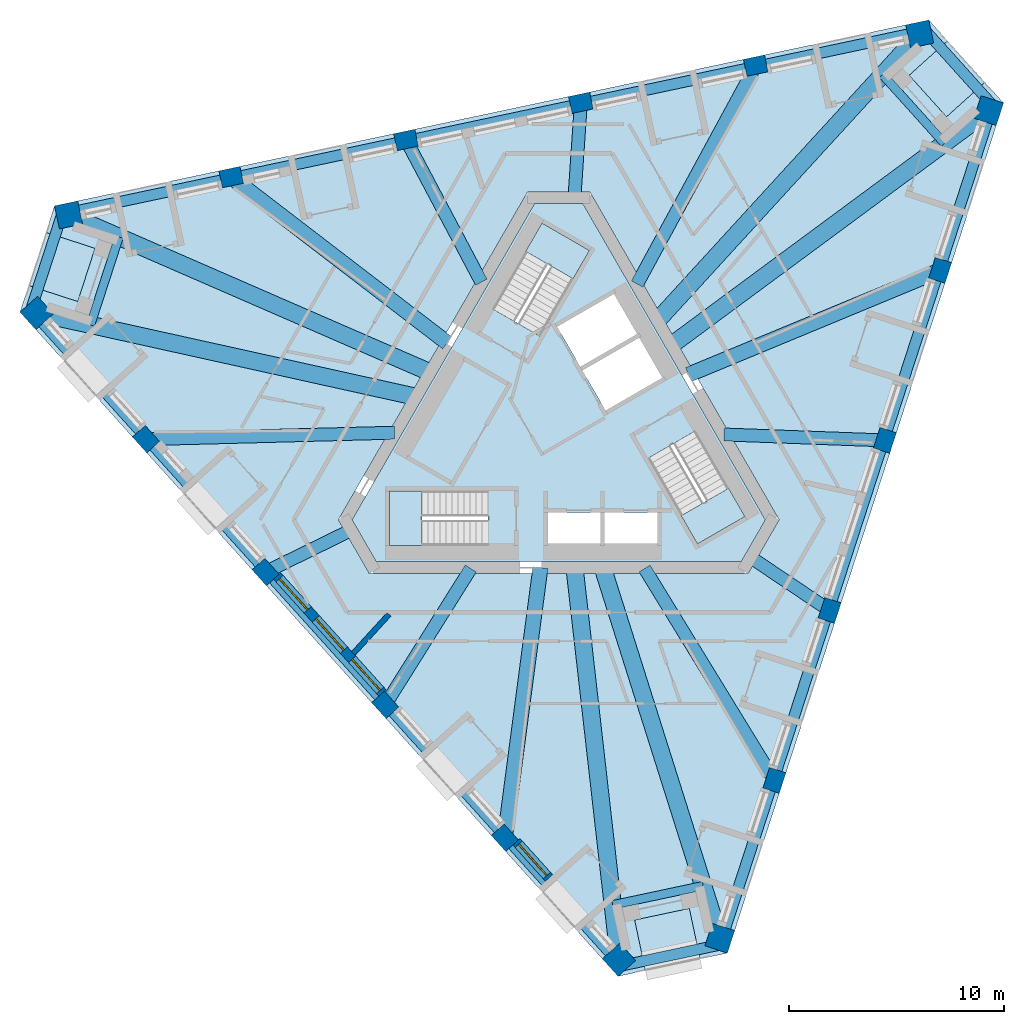
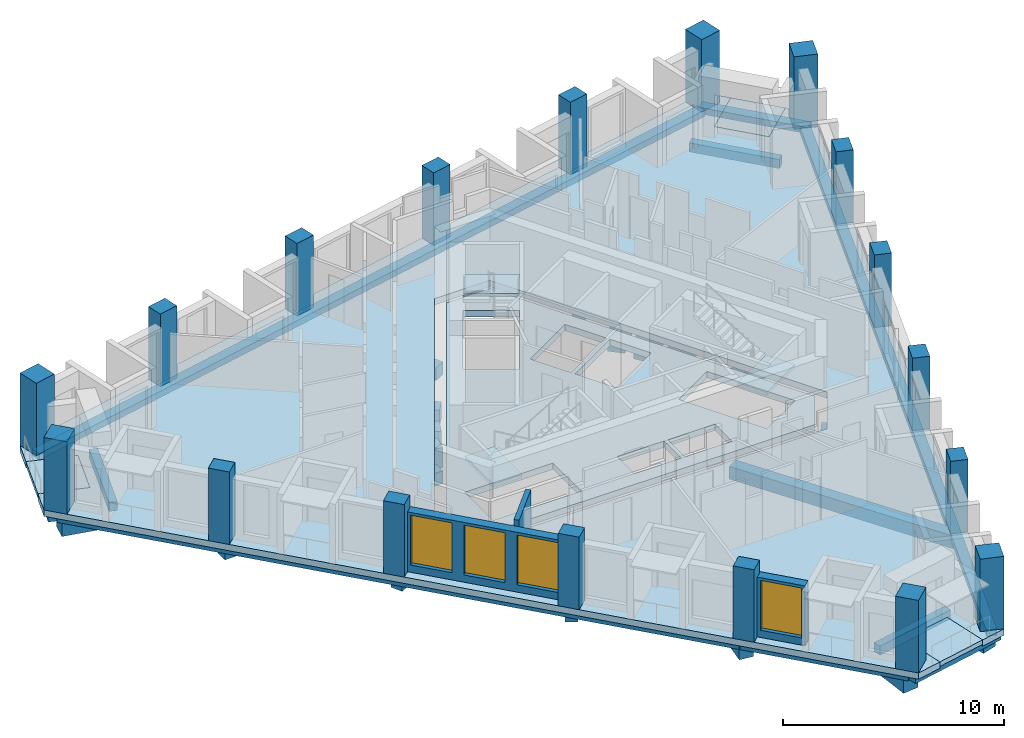
# One storey, part 1 of 13: 27 beams, 18 columns, 8 slabs, 4 windows, 3 walls, 4 openings, 3 elements without a shape of their own.
"""IFC4 building model written with IfcOpenShell, lengths in metres."""

from ifc_helpers import new_model, si_unit, direction, frame, frame_2d, origin, origin_2d, place, context, subcontext, project, spatial, polyline, rectangle, outline, extrude, material, layer, layer_set, material_profile, profile_set, type_object, element, fill, aggregate, save


model = new_model("IFC4")

# Units and contexts
model_context = context("Model", 3, precision=1e-05, world=origin(), true_north=direction((0.0, 1.0)))
body_context = subcontext(model_context, "Body", "Model", "MODEL_VIEW")
ifc_project = project(units=[si_unit("LENGTHUNIT", "METRE"), si_unit("AREAUNIT", "SQUARE_METRE"), si_unit("VOLUMEUNIT", "CUBIC_METRE"), si_unit("PLANEANGLEUNIT", "RADIAN"), si_unit("MASSUNIT", "GRAM", prefix="KILO")], contexts=[model_context])

# Site, building, storey
site_placement = place(None, origin())
site = spatial("IfcSite", under=ifc_project, at=site_placement, CompositionType="ELEMENT")
building_placement = place(site_placement, origin())
building = spatial("IfcBuilding", under=site, at=building_placement, Name="Tramontana Tower", CompositionType="ELEMENT")
storey_placement = place(building_placement, frame((0.0, 0.0, 328.39990234375)))
storey = spatial("IfcBuildingStorey", under=building, at=storey_placement, Name="L75", CompositionType="ELEMENT", Elevation=328.39990234375)

# Columns
ifc_material_1 = material(Name="Concrete 55 MPa", Category="concrete")
ifc_material_profile_1 = material_profile(ifc_material_1, rectangle(XDim=1.10009765625, YDim=1.10009765625, at=origin_2d()), Name="Mega column 1100X1100 55 MPa")
ifc_profile_set_1 = profile_set([ifc_material_profile_1], Name="Concrete 55 MPa")
column_type_1 = type_object("IfcColumnType", Name="Mega column 1100X1100 55 MPa", PredefinedType="COLUMN", material=ifc_profile_set_1)
for number, where, z_axis, x_axis, name in (
    (1, (-24.278076171875, 5.368408203125, 0.0), (0.0, 0.0, 1.0), (0.669130606359, -0.743144825477, 0.0), "Mega column C8K1 L75"),
    (2, (2.80126953125, -24.706298828125, 0.0), (0.0, 0.0, 1.0), (0.669130606359, -0.743144825477, 0.0), "Mega column C8K2 L75"),
    (3, (7.489990234375, -23.70947265625, 0.0), (0.0, 0.0, 1.0), (0.309016994375, 0.951056516295, 0.0), "Mega column C8K3 L75"),
    (4, (19.99560546875, 14.779052734375, 0.0), (0.0, 0.0, 1.0), (0.309016994375, 0.951056516295, 0.0), "Mega column C8K4 L75"),
    (5, (16.7880859375, 18.34130859375, 0.0), (0.0, 0.0, 1.0), (-0.978147600734, -0.207911690818, 0.0), "Mega column C8K5 L75"),
    (6, (-22.796875, 9.92724609375, 0.0), (0.0, 0.0, 1.0), (-0.978147600734, -0.207911690818, 0.0), "Mega column C8K6 L75"),
):
    element("IfcColumn", number, at=place(storey_placement, frame(where, z_axis=z_axis, x_axis=x_axis)), inside=storey, type_object=column_type_1, Name=name, PredefinedType="COLUMN", context=body_context, shape_type="SweptSolid", body=[
        extrude(rectangle(XDim=1.10009765625, YDim=1.10009765625, at=origin_2d()), origin(), (0.0, 0.0, 1.0), 4.0),
    ])
ifc_material_2 = material(Name="Concrete 55 MPa", Category="concrete")
ifc_material_profile_2 = material_profile(ifc_material_2, rectangle(XDim=1.0, YDim=0.800048828125, at=origin_2d()), Name="Pier column 1000X800 55 MPa")
ifc_profile_set_2 = profile_set([ifc_material_profile_2], Name="Concrete 55 MPa")
column_type_2 = type_object("IfcColumnType", Name="Pier column 1000X800 55 MPa", PredefinedType="COLUMN", material=ifc_profile_set_2)
for number, where, z_axis, x_axis, name in (
    (7, (-19.194580078125, -0.501708984375, 0.0), (0.0, 0.0, 1.0), (0.669130606359, -0.743144825477, 0.0), "Pier column C8F01 L75"),
    (8, (-13.63134765625, -6.68017578125, 0.0), (0.0, 0.0, 1.0), (0.669130606359, -0.743144825477, 0.0), "Pier column C8F02 L75"),
    (9, (-8.068359375, -12.8583984375, 0.0), (0.0, 0.0, 1.0), (0.669130606359, -0.743144825477, 0.0), "Pier column C8F03 L75"),
    (10, (-2.50537109375, -19.036865234375, 0.0), (0.0, 0.0, 1.0), (0.669130606359, -0.743144825477, 0.0), "Pier column C8F04 L75"),
    (11, (10.03173828125, -16.3720703125, 0.0), (0.0, 0.0, 1.0), (0.309016994375, 0.951056516295, 0.0), "Pier column C8F05 L75"),
    (12, (12.600830078125, -8.465087890625, 0.0), (0.0, 0.0, 1.0), (0.309016994375, 0.951056516295, 0.0), "Pier column C8F06 L75"),
    (13, (15.169921875, -0.55810546875, 0.0), (0.0, 0.0, 1.0), (0.309016994375, 0.951056516295, 0.0), "Pier column C8F07 L75"),
    (14, (17.739013671875, 7.348876953125, 0.0), (0.0, 0.0, 1.0), (0.309016994375, 0.951056516295, 0.0), "Pier column C8F08 L75"),
    (15, (9.162841796875, 16.873779296875, 0.0), (0.0, 0.0, 1.0), (-0.978147600734, -0.207911690818, 0.0), "Pier column C8F09 L75"),
    (16, (1.030517578125, 15.145263671875, 0.0), (0.0, 0.0, 1.0), (-0.978147600734, -0.207911690818, 0.0), "Pier column C8F10 L75"),
    (17, (-7.1015625, 13.416748046875, 0.0), (0.0, 0.0, 1.0), (-0.978147600734, -0.207911690818, 0.0), "Pier column C8F11 L75"),
    (18, (-15.233642578125, 11.688232421875, 0.0), (0.0, 0.0, 1.0), (-0.978147600734, -0.207911690818, 0.0), "Pier column C8F12 L75"),
):
    element("IfcColumn", number, at=place(storey_placement, frame(where, z_axis=z_axis, x_axis=x_axis)), inside=storey, type_object=column_type_2, Name=name, PredefinedType="COLUMN", context=body_context, shape_type="SweptSolid", body=[
        extrude(rectangle(XDim=1.0, YDim=0.800048828125, at=origin_2d()), origin(), (0.0, 0.0, 1.0), 4.0),
    ])

# Beams
ifc_material_3 = material(Name="Concrete 40 MPa", Category="concrete")
ifc_material_profile_3 = material_profile(ifc_material_3, rectangle(XDim=0.5, YDim=0.35009765625, at=origin_2d()), Name="RC EDGE BEAM 500X350 40 MPa")
ifc_profile_set_3 = profile_set([ifc_material_profile_3], Name="Concrete 40 MPa")
beam_type_1 = type_object("IfcBeamType", Name="RC EDGE BEAM 500X350 40 MPa", PredefinedType="SPANDREL", material=ifc_profile_set_3)
for number, where, z_axis, x_axis, name in (
    (19, (-24.352294921875, 5.301513671875, -0.52490234375), (0.669126699639, -0.743148343086, 0.0), (0.743148343086, 0.669126699639, 0.0), "Spandrel beam S0 L75"),
    (20, (7.5849609375, -23.740478515625, -0.52490234375), (0.309021003975, 0.951055213488, 0.0), (-0.951055213488, 0.309021003975, 0.0), "Spandrel beam S1 L75"),
):
    element("IfcBeam", number, at=place(storey_placement, frame(where, z_axis=z_axis, x_axis=x_axis)), inside=storey, type_object=beam_type_1, Name=name, PredefinedType="SPANDREL", context=body_context, shape_type="SweptSolid", body=[
        extrude(rectangle(XDim=0.5, YDim=0.35009765625, at=origin_2d()), origin(), (0.0, 0.0, 1.0), 40.46923828125),
    ])
beam_1_placement = place(storey_placement, frame((16.767333984375, 18.439208984375, -0.52490234375), z_axis=(-0.978146276815, -0.20791791927, 0.0), x_axis=(0.20791791927, -0.978146276815, 0.0)))
element("IfcBeam", 21, at=beam_1_placement, inside=storey, type_object=beam_type_1, Name="Spandrel beam S2 L75", PredefinedType="SPANDREL", context=body_context, shape_type="SweptSolid", body=[
    extrude(rectangle(XDim=0.5, YDim=0.35009765625, at=origin_2d()), origin(), (0.0, 0.0, 1.0), 40.469482421875),
])
beam_2_placement = place(storey_placement, frame((-23.02099609375, 10.2119140625, -0.52490234375), z_axis=(-0.309015953557, -0.951056854477, 0.0), x_axis=(0.951056854477, -0.309015953557, 0.0)))
element("IfcBeam", 22, at=beam_2_placement, inside=storey, type_object=beam_type_1, Name="Spandrel beam K0 L75", PredefinedType="SPANDREL", context=body_context, shape_type="SweptSolid", body=[
    extrude(rectangle(XDim=0.5, YDim=0.35009765625, at=origin_2d()), origin(), (0.0, 0.0, 1.0), 5.1962890625),
])
for number, where, z_axis, x_axis, name in (
    (23, (2.6669921875, -25.042724609375, -0.52490234375), (0.97814762463, 0.207911578393, 0.0), (-0.207911578393, 0.97814762463, 0.0), "Spandrel beam K1 L75"),
    (24, (20.354248046875, 14.8310546875, -0.52490234375), (-0.66916199362, 0.74311656306, 0.0), (-0.74311656306, -0.66916199362, 0.0), "Spandrel beam K2 L75"),
):
    element("IfcBeam", number, at=place(storey_placement, frame(where, z_axis=z_axis, x_axis=x_axis)), inside=storey, type_object=beam_type_1, Name=name, PredefinedType="SPANDREL", context=body_context, shape_type="SweptSolid", body=[
        extrude(rectangle(XDim=0.5, YDim=0.35009765625, at=origin_2d()), origin(), (0.0, 0.0, 1.0), 5.196044921875),
    ])
ifc_material_4 = material(Name="Concrete 40 MPa", Category="concrete")
ifc_material_profile_4 = material_profile(ifc_material_4, rectangle(XDim=0.60009765625, YDim=0.699951171875, at=origin_2d()), Name="RC GIRDER 600X700 40 MPa")
ifc_profile_set_4 = profile_set([ifc_material_profile_4], Name="Concrete 40 MPa")
beam_type_2 = type_object("IfcBeamType", Name="RC GIRDER 600X700 40 MPa", PredefinedType="BEAM", material=ifc_profile_set_4)
beam_3_placement = place(storey_placement, frame((-19.194580078125, -0.501708984375, -0.699951171875), z_axis=(0.999658682192, 0.026125066864, 0.0), x_axis=(-0.026125066864, 0.999658682192, 0.0)))
element("IfcBeam", 25, at=beam_3_placement, inside=storey, type_object=beam_type_2, Name="Radial girder C8F01 L75", PredefinedType="BEAM", context=body_context, shape_type="SweptSolid", body=[
    extrude(rectangle(XDim=0.60009765625, YDim=0.699951171875, at=origin_2d()), origin(), (0.0, 0.0, 1.0), 11.559814453125),
])
beam_4_placement = place(storey_placement, frame((-13.63134765625, -6.68017578125, -0.699951171875), z_axis=(0.897959158445, 0.440078799496, 0.0), x_axis=(-0.440078799496, 0.897959158445, 0.0)))
element("IfcBeam", 26, at=beam_4_placement, inside=storey, type_object=beam_type_2, Name="Radial girder C8F02 L75", PredefinedType="BEAM", context=body_context, shape_type="SweptSolid", body=[
    extrude(rectangle(XDim=0.60009765625, YDim=0.699951171875, at=origin_2d()), origin(), (0.0, 0.0, 1.0), 4.4296875),
])
beam_5_placement = place(storey_placement, frame((-8.068359375, -12.8583984375, -0.699951171875), z_axis=(0.531504835363, 0.847055257929, 0.0), x_axis=(-0.847055257929, 0.531504835363, 0.0)))
element("IfcBeam", 27, at=beam_5_placement, inside=storey, type_object=beam_type_2, Name="Radial girder C8F03 L75", PredefinedType="BEAM", context=body_context, shape_type="SweptSolid", body=[
    extrude(rectangle(XDim=0.60009765625, YDim=0.699951171875, at=origin_2d()), origin(), (0.0, 0.0, 1.0), 7.486328125),
])
beam_6_placement = place(storey_placement, frame((10.03173828125, -16.3720703125, -0.699951171875), z_axis=(-0.522458548495, 0.852664685034, 0.0), x_axis=(-0.852664685034, -0.522458548495, 0.0)))
element("IfcBeam", 28, at=beam_6_placement, inside=storey, type_object=beam_type_2, Name="Radial girder C8F05 L75", PredefinedType="BEAM", context=body_context, shape_type="SweptSolid", body=[
    extrude(rectangle(XDim=0.60009765625, YDim=0.699951171875, at=origin_2d()), origin(), (0.0, 0.0, 1.0), 11.559814453125),
])
beam_7_placement = place(storey_placement, frame((12.600830078125, -8.465087890625, -0.699951171875), z_axis=(-0.830077902204, 0.557647448011, 0.0), x_axis=(-0.557647448011, -0.830077902204, 0.0)))
element("IfcBeam", 29, at=beam_7_placement, inside=storey, type_object=beam_type_2, Name="Radial girder C8F06 L75", PredefinedType="BEAM", context=body_context, shape_type="SweptSolid", body=[
    extrude(rectangle(XDim=0.60009765625, YDim=0.699951171875, at=origin_2d()), origin(), (0.0, 0.0, 1.0), 4.4296875),
])
beam_8_placement = place(storey_placement, frame((15.169921875, -0.55810546875, -0.699951171875), z_axis=(-0.999324360611, 0.036753534393, 0.0), x_axis=(-0.036753534393, -0.999324360611, 0.0)))
element("IfcBeam", 30, at=beam_8_placement, inside=storey, type_object=beam_type_2, Name="Radial girder C8F07 L75", PredefinedType="BEAM", context=body_context, shape_type="SweptSolid", body=[
    extrude(rectangle(XDim=0.60009765625, YDim=0.699951171875, at=origin_2d()), origin(), (0.0, 0.0, 1.0), 7.486328125),
])
beam_9_placement = place(storey_placement, frame((9.16259765625, 16.873779296875, -0.699951171875), z_axis=(-0.477185075818, -0.87880282397, 0.0), x_axis=(0.87880282397, -0.477185075818, 0.0)))
element("IfcBeam", 31, at=beam_9_placement, inside=storey, type_object=beam_type_2, Name="Radial girder C8F09 L75", PredefinedType="BEAM", context=body_context, shape_type="SweptSolid", body=[
    extrude(rectangle(XDim=0.60009765625, YDim=0.699951171875, at=origin_2d()), origin(), (0.0, 0.0, 1.0), 11.559814453125),
])
beam_10_placement = place(storey_placement, frame((1.030517578125, 15.145263671875, -0.699951171875), z_axis=(-0.067897965918, -0.997692270304, 0.0), x_axis=(0.997692270304, -0.067897965918, 0.0)))
element("IfcBeam", 32, at=beam_10_placement, inside=storey, type_object=beam_type_2, Name="Radial girder C8F10 L75", PredefinedType="BEAM", context=body_context, shape_type="SweptSolid", body=[
    extrude(rectangle(XDim=0.60009765625, YDim=0.699951171875, at=origin_2d()), origin(), (0.0, 0.0, 1.0), 4.429931640625),
])
beam_11_placement = place(storey_placement, frame((-7.1015625, 13.416748046875, -0.699951171875), z_axis=(0.467808305742, -0.883829954843, 0.0), x_axis=(0.883829954843, 0.467808305742, 0.0)))
element("IfcBeam", 33, at=beam_11_placement, inside=storey, type_object=beam_type_2, Name="Radial girder C8F11 L75", PredefinedType="BEAM", context=body_context, shape_type="SweptSolid", body=[
    extrude(rectangle(XDim=0.60009765625, YDim=0.699951171875, at=origin_2d()), origin(), (0.0, 0.0, 1.0), 7.486328125),
])
ifc_material_5 = material(Name="Concrete 40 MPa", Category="concrete")
ifc_material_profile_5 = material_profile(ifc_material_5, rectangle(XDim=0.699951171875, YDim=0.89990234375, at=origin_2d()), Name="RC GIRDER 700X900 40 MPa")
ifc_profile_set_5 = profile_set([ifc_material_profile_5], Name="Concrete 40 MPa")
beam_type_3 = type_object("IfcBeamType", Name="RC GIRDER 700X900 40 MPa", PredefinedType="BEAM", material=ifc_profile_set_5)
beam_12_placement = place(storey_placement, frame((-2.50537109375, -19.036865234375, -0.7998046875), z_axis=(0.130493398369, 0.991449178214, 0.0), x_axis=(-0.991449178214, 0.130493398369, 0.0)))
element("IfcBeam", 34, at=beam_12_placement, inside=storey, type_object=beam_type_3, Name="Radial girder C8F04 L75", PredefinedType="BEAM", context=body_context, shape_type="SweptSolid", body=[
    extrude(rectangle(XDim=0.699951171875, YDim=0.89990234375, at=origin_2d()), origin(), (0.0, 0.0, 1.0), 12.66796875),
])
beam_13_placement = place(storey_placement, frame((17.739013671875, 7.348876953125, -0.7998046875), z_axis=(-0.923857326556, -0.382737037885, 0.0), x_axis=(0.382737037885, -0.923857326556, 0.0)))
element("IfcBeam", 35, at=beam_13_placement, inside=storey, type_object=beam_type_3, Name="Radial girder C8F08 L75", PredefinedType="BEAM", context=body_context, shape_type="SweptSolid", body=[
    extrude(rectangle(XDim=0.699951171875, YDim=0.89990234375, at=origin_2d()), origin(), (0.0, 0.0, 1.0), 12.667724609375),
])
beam_14_placement = place(storey_placement, frame((-15.23388671875, 11.68798828125, -0.7998046875), z_axis=(0.793386383047, -0.608718364431, 0.0), x_axis=(0.608718364431, 0.793386383047, 0.0)))
element("IfcBeam", 36, at=beam_14_placement, inside=storey, type_object=beam_type_3, Name="Radial girder C8F12 L75", PredefinedType="BEAM", context=body_context, shape_type="SweptSolid", body=[
    extrude(rectangle(XDim=0.699951171875, YDim=0.89990234375, at=origin_2d()), origin(), (0.0, 0.0, 1.0), 12.66796875),
])
ifc_material_6 = material(Name="Concrete 40 MPa", Category="concrete")
ifc_material_profile_6 = material_profile(ifc_material_6, rectangle(XDim=0.800048828125, YDim=1.10009765625, at=origin_2d()), Name="RC GIRDER 800X1100 40 MPa")
ifc_profile_set_6 = profile_set([ifc_material_profile_6], Name="Concrete 40 MPa")
beam_type_4 = type_object("IfcBeamType", Name="RC GIRDER 800X1100 40 MPa", PredefinedType="BEAM", material=ifc_profile_set_6)
beam_15_placement = place(storey_placement, frame((-24.278076171875, 5.368408203125, -0.89990234375), z_axis=(0.976414256624, -0.215905533653, 0.0), x_axis=(0.215905533653, 0.976414256624, 0.0)))
element("IfcBeam", 37, at=beam_15_placement, inside=storey, type_object=beam_type_4, Name="Radial girder C8K1 L75", PredefinedType="BEAM", context=body_context, shape_type="SweptSolid", body=[
    extrude(rectangle(XDim=0.800048828125, YDim=1.10009765625, at=origin_2d()), origin(), (0.0, 0.0, 1.0), 18.060791015625),
])
beam_16_placement = place(storey_placement, frame((2.80126953125, -24.706298828125, -0.89990234375), z_axis=(-0.112660068087, 0.993633588934, 0.0), x_axis=(-0.993633588934, -0.112660068087, 0.0)))
element("IfcBeam", 38, at=beam_16_placement, inside=storey, type_object=beam_type_4, Name="Radial girder C8K2 L75", PredefinedType="BEAM", context=body_context, shape_type="SweptSolid", body=[
    extrude(rectangle(XDim=0.800048828125, YDim=1.10009765625, at=origin_2d()), origin(), (0.0, 0.0, 1.0), 18.34619140625),
])
beam_17_placement = place(storey_placement, frame((7.489990234375, -23.709716796875, -0.89990234375), z_axis=(-0.301228407795, 0.953552015538, 0.0), x_axis=(-0.953552015538, -0.301228407795, 0.0)))
element("IfcBeam", 39, at=beam_17_placement, inside=storey, type_object=beam_type_4, Name="Radial girder C8K3 L75", PredefinedType="BEAM", context=body_context, shape_type="SweptSolid", body=[
    extrude(rectangle(XDim=0.800048828125, YDim=1.10009765625, at=origin_2d()), origin(), (0.0, 0.0, 1.0), 18.060791015625),
])
beam_18_placement = place(storey_placement, frame((19.99560546875, 14.779052734375, -0.89990234375), z_axis=(-0.804178630494, -0.594387693562, 0.0), x_axis=(0.594387693562, -0.804178630494, 0.0)))
element("IfcBeam", 40, at=beam_18_placement, inside=storey, type_object=beam_type_4, Name="Radial girder C8K4 L75", PredefinedType="BEAM", context=body_context, shape_type="SweptSolid", body=[
    extrude(rectangle(XDim=0.800048828125, YDim=1.10009765625, at=origin_2d()), origin(), (0.0, 0.0, 1.0), 18.34619140625),
])
beam_19_placement = place(storey_placement, frame((16.7880859375, 18.34130859375, -0.89990234375), z_axis=(-0.675183941423, -0.737649405371, 0.0), x_axis=(0.737649405371, -0.675183941423, 0.0)))
element("IfcBeam", 41, at=beam_19_placement, inside=storey, type_object=beam_type_4, Name="Radial girder C8K5 L75", PredefinedType="BEAM", context=body_context, shape_type="SweptSolid", body=[
    extrude(rectangle(XDim=0.800048828125, YDim=1.10009765625, at=origin_2d()), origin(), (0.0, 0.0, 1.0), 18.060791015625),
])
beam_20_placement = place(storey_placement, frame((-22.796875, 9.92724609375, -0.89990234375), z_axis=(0.916837391717, -0.399260813441, 0.0), x_axis=(0.399260813441, 0.916837391717, 0.0)))
element("IfcBeam", 42, at=beam_20_placement, inside=storey, type_object=beam_type_4, Name="Radial girder C8K6 L75", PredefinedType="BEAM", context=body_context, shape_type="SweptSolid", body=[
    extrude(rectangle(XDim=0.800048828125, YDim=1.10009765625, at=origin_2d()), origin(), (0.0, 0.0, 1.0), 18.34619140625),
])
ifc_material_7 = material(Name="Concrete 40 MPa", Category="concrete")
ifc_material_profile_7 = material_profile(ifc_material_7, rectangle(XDim=0.39990234375, YDim=0.5, at=origin_2d()), Name="RC TRIM BEAM 400X500 40 MPa")
ifc_profile_set_7 = profile_set([ifc_material_profile_7], Name="Concrete 40 MPa")
beam_type_5 = type_object("IfcBeamType", Name="RC TRIM BEAM 400X500 40 MPa", PredefinedType="JOIST", material=ifc_profile_set_7)
for number, where, z_axis, x_axis, name in (
    (43, (-20.44921875, 8.90478515625, -0.599853515625), (-0.308996198876, -0.951063272911, 0.0), (0.951063272911, -0.308996198876, 0.0), "Trimmer beam K0 L75"),
    (44, (2.5126953125, -22.161865234375, -0.599853515625), (0.978144273721, 0.207927342565, 0.0), (-0.207927342565, 0.978144273721, 0.0), "Trimmer beam K1 L75"),
    (45, (17.936279296875, 13.257080078125, -0.599853515625), (-0.669146657008, 0.743130373094, 0.0), (-0.743130373094, -0.669146657008, 0.0), "Trimmer beam K2 L75"),
):
    element("IfcBeam", number, at=place(storey_placement, frame(where, z_axis=z_axis, x_axis=x_axis)), inside=storey, type_object=beam_type_5, Name=name, PredefinedType="JOIST", context=body_context, shape_type="SweptSolid", body=[
        extrude(rectangle(XDim=0.39990234375, YDim=0.5, at=origin_2d()), origin(), (0.0, 0.0, 1.0), 4.2998046875),
    ])

# Slabs
ifc_material_8 = material(Name="Precast concrete 50 MPa", Category="concrete")
ifc_layer_1 = layer(ifc_material_8, 0.25)
ifc_layer_set_1 = layer_set([ifc_layer_1], Name="LT1 Loggia floor tray 250")
slab_type_1 = type_object("IfcSlabType", Name="LT1 Loggia floor tray 250", PredefinedType="FLOOR", material=ifc_layer_set_1)
slab_1_placement = place(storey_placement, frame((0.0, 0.0, -0.25)))
element("IfcSlab", 46, at=slab_1_placement, inside=storey, type_object=slab_type_1, Name="Corner loggia floor L75 K80", PredefinedType="FLOOR", context=body_context, shape_type="SweptSolid", body=[
    extrude(outline(polyline([(-23.85009765625, 9.1162109375), (-21.567626953125, 8.374755859375), (-22.37109375, 5.90185546875), (-24.653564453125, 6.6435546875), (-23.85009765625, 9.1162109375)])), origin(), (0.0, 0.0, 1.0), 0.25),
])
slab_2_placement = place(storey_placement, frame((0.0, 0.0, -0.25)))
element("IfcSlab", 47, at=slab_2_placement, inside=storey, type_object=slab_type_1, Name="Corner loggia floor L75 K81", PredefinedType="FLOOR", context=body_context, shape_type="SweptSolid", body=[
    extrude(outline(polyline([(4.0302734375, -25.213134765625), (3.53125, -22.865478515625), (6.074462890625, -22.324951171875), (6.5732421875, -24.67236328125), (4.0302734375, -25.213134765625)])), origin(), (0.0, 0.0, 1.0), 0.25),
])
slab_3_placement = place(storey_placement, frame((0.0, 0.0, -0.25)))
element("IfcSlab", 48, at=slab_3_placement, inside=storey, type_object=slab_type_1, Name="Corner loggia floor L75 K82", PredefinedType="FLOOR", context=body_context, shape_type="SweptSolid", body=[
    extrude(outline(polyline([(19.820068359375, 16.0966796875), (18.03662109375, 14.49072265625), (16.296875, 16.423095703125), (18.080322265625, 18.02880859375), (19.820068359375, 16.0966796875)])), origin(), (0.0, 0.0, 1.0), 0.25),
])
ifc_material_9 = material(Name="Concrete 40 MPa", Category="concrete")
ifc_layer_2 = layer(ifc_material_9, 0.35009765625)
ifc_layer_set_2 = layer_set([ifc_layer_2], Name="PT FLAT SLAB 350 40 MPa")
slab_type_2 = type_object("IfcSlabType", Name="PT FLAT SLAB 350 40 MPa", PredefinedType="FLOOR", material=ifc_layer_set_2)
slab_4_placement = place(storey_placement, frame((0.0, 0.0, -0.349853515625)))
element("IfcSlab", 49, at=slab_4_placement, inside=storey, type_object=slab_type_2, Name="Floor slab L75", PredefinedType="FLOOR", context=body_context, shape_type="SweptSolid", body=[
    extrude(outline(polyline([(18.080322265625, 18.02880859375), (16.296875, 16.423095703125), (18.03662109375, 14.49072265625), (19.820068359375, 16.0966796875), (20.688720703125, 15.132080078125), (7.843017578125, -24.402587890625), (6.5732421875, -24.672607421875), (6.074462890625, -22.324951171875), (3.53125, -22.865478515625), (4.0302734375, -25.212890625), (2.760498046875, -25.48291015625), (-25.0546875, 5.408935546875), (-24.65380859375, 6.6435546875), (-22.37109375, 5.90185546875), (-21.567626953125, 8.374755859375), (-23.85009765625, 9.1162109375), (-23.44921875, 10.350830078125), (17.211669921875, 18.99365234375), (18.080322265625, 18.02880859375)]), holes=[polyline([(-10.248046875, -4.25), (-8.8046875, -6.75), (8.8046875, -6.75), (10.248046875, -4.25), (1.443359375, 11.0), (-1.443359375, 11.0), (-10.248046875, -4.25)])]), origin(), (0.0, 0.0, 1.0), 0.349853515625),
])
slab_5_placement = place(storey_placement, frame((0.0, 0.0, -0.349853515625)))
element("IfcSlab", 50, at=slab_5_placement, inside=storey, type_object=slab_type_2, Name="Core floor slab L75", PredefinedType="FLOOR", context=body_context, shape_type="SweptSolid", body=[
    extrude(outline(polyline([(9.61279296875, -4.25), (8.487060546875, -6.199951171875), (-8.487060546875, -6.199951171875), (-9.61279296875, -4.25), (-1.125732421875, 10.449951171875), (1.125732421875, 10.449951171875), (9.61279296875, -4.25)]), holes=[polyline([(8.659912109375, -4.099365234375), (6.35986328125, -0.115478515625), (4.151611328125, -1.390625), (6.451416015625, -5.374267578125), (8.659912109375, -4.099365234375)]), polyline([(3.829833984375, 4.2666015625), (1.101806640625, 2.69140625), (2.177001953125, 0.82958984375), (4.90478515625, 2.404541015625), (3.829833984375, 4.2666015625)]), polyline([(4.590087890625, -3.89990234375), (2.139892578125, -3.89990234375), (2.139892578125, -5.449951171875), (4.590087890625, -5.449951171875), (4.590087890625, -3.89990234375)]), polyline([(2.65478515625, 6.3017578125), (-0.072998046875, 4.726806640625), (1.001953125, 2.86474609375), (3.729736328125, 4.439697265625), (2.65478515625, 6.3017578125)]), polyline([(1.93994140625, -5.449951171875), (1.93994140625, -3.89990234375), (-0.510009765625, -3.89990234375), (-0.510009765625, -5.449951171875), (1.93994140625, -5.449951171875)]), polyline([(-0.77978515625, 9.54931640625), (-3.079833984375, 5.565673828125), (-0.87158203125, 4.29052734375), (1.428466796875, 8.2744140625), (-0.77978515625, 9.54931640625)]), polyline([(-7.8798828125, -5.449951171875), (-3.280029296875, -5.449951171875), (-3.280029296875, -2.89990234375), (-7.8798828125, -2.89990234375), (-7.8798828125, -5.449951171875)])]), origin(), (0.0, 0.0, 1.0), 0.349853515625),
])

# Stair, slab
ifc_material_10 = material(Name="Concrete 40 MPa", Category="concrete")
stair_type = type_object("IfcStairType", Name="EXIT STAIR 24 RISERS", PredefinedType="HALF_TURN_STAIR", material=ifc_material_10)
stair_1_placement = place(storey_placement, origin())
stair_1 = element("IfcStair", 51, at=stair_1_placement, inside=storey, type_object=stair_type, Name="L75 Exit stair ST1", PredefinedType="HALF_TURN_STAIR")
ifc_material_11 = material(Name="Concrete 40 MPa", Category="concrete")
ifc_layer_3 = layer(ifc_material_11, 0.199951171875)
ifc_layer_set_3 = layer_set([ifc_layer_3], Name="STAIR LANDING 200")
slab_type_3 = type_object("IfcSlabType", Name="STAIR LANDING 200", PredefinedType="LANDING", material=ifc_layer_set_3)
slab_6_placement = place(storey_placement, frame((0.0, 0.0, 1.800048828125)))
slab_6 = element("IfcSlab", 52, at=slab_6_placement, type_object=slab_type_3, Name="ST1 landing 1", PredefinedType="LANDING", context=body_context, shape_type="SweptSolid", body=[
    extrude(outline(polyline([(0.66845703125, 6.9580078125), (1.428466796875, 8.274169921875), (-0.77978515625, 9.54931640625), (-1.539794921875, 8.23291015625), (0.66845703125, 6.9580078125)])), origin(), (0.0, 0.0, 1.0), 0.199951171875),
])
aggregate(stair_1, [slab_6])

stair_2_placement = place(storey_placement, origin())
stair_2 = element("IfcStair", 53, at=stair_2_placement, inside=storey, type_object=stair_type, Name="L75 Exit stair ST2", PredefinedType="HALF_TURN_STAIR")
slab_7_placement = place(storey_placement, frame((0.0, 0.0, 1.800048828125)))
slab_7 = element("IfcSlab", 54, at=slab_7_placement, type_object=slab_type_3, Name="ST2 landing 1", PredefinedType="LANDING", context=body_context, shape_type="SweptSolid", body=[
    extrude(outline(polyline([(-6.360107421875, -2.89990234375), (-7.8798828125, -2.89990234375), (-7.8798828125, -5.449951171875), (-6.360107421875, -5.449951171875), (-6.360107421875, -2.89990234375)])), origin(), (0.0, 0.0, 1.0), 0.199951171875),
])
aggregate(stair_2, [slab_7])

stair_3_placement = place(storey_placement, origin())
stair_3 = element("IfcStair", 55, at=stair_3_placement, inside=storey, type_object=stair_type, Name="L75 Exit stair ST3", PredefinedType="HALF_TURN_STAIR")
slab_8_placement = place(storey_placement, frame((0.0, 0.0, 1.800048828125)))
slab_8 = element("IfcSlab", 56, at=slab_8_placement, type_object=slab_type_3, Name="ST3 landing 1", PredefinedType="LANDING", context=body_context, shape_type="SweptSolid", body=[
    extrude(outline(polyline([(5.69140625, -4.057861328125), (6.451416015625, -5.374267578125), (8.659912109375, -4.099365234375), (7.89990234375, -2.782958984375), (5.69140625, -4.057861328125)])), origin(), (0.0, 0.0, 1.0), 0.199951171875),
])
aggregate(stair_3, [slab_8])

# Wall, openings, windows
ifc_material_12 = material(Name="Precast concrete 60 MPa", Category="concrete")
ifc_layer_4 = layer(ifc_material_12, 0.449951171875)
ifc_layer_set_4 = layer_set([ifc_layer_4], Name="Precast concrete 60 MPa, 450 mm")
wall_type_1 = type_object("IfcWallType", Name="EW1 Stone-faced precast wall 450", PredefinedType="SOLIDWALL", material=ifc_layer_set_4)
wall_1_placement = place(storey_placement, frame((-13.092529296875, -6.86767578125, 0.0), z_axis=(0.0, 0.0, 1.0), x_axis=(0.669136224502, -0.74313976684, 0.0)))
wall_1 = element("IfcWall", 57, at=wall_1_placement, inside=storey, type_object=wall_type_1, Name="External wall L75 face 0 bay 3", PredefinedType="SOLIDWALL", context=body_context, shape_type="SweptSolid", body=[
    extrude(rectangle(XDim=7.31396484375, YDim=0.449951171875, at=frame_2d((3.656982421875, 0.0))), origin(), (0.0, 0.0, 1.0), 3.300048828125),
])
opening_1_placement = place(wall_1_placement, frame((0.16064453125, 0.0, 0.39990234375)))
opening_1 = element("IfcOpeningElement", 58, at=opening_1_placement, cuts=wall_1, Name="Opening M3", PredefinedType="OPENING", context=body_context, shape_type="SweptSolid", body=[
    extrude(rectangle(XDim=1.949951171875, YDim=2.75, at=frame_2d((0.97509765625, 1.375))), frame((0.0, 0.23486328125, 0.0), z_axis=(0.0, -1.0, 0.0), x_axis=(1.0, 0.0, 0.0)), (0.0, 0.0, 1.0), 0.469970703125),
])
opening_2_placement = place(wall_1_placement, frame((2.681884765625, 0.0, 0.39990234375)))
opening_2 = element("IfcOpeningElement", 59, at=opening_2_placement, cuts=wall_1, Name="Opening M3", PredefinedType="OPENING", context=body_context, shape_type="SweptSolid", body=[
    extrude(rectangle(XDim=1.949951171875, YDim=2.75, at=frame_2d((0.97509765625, 1.375))), frame((0.0, 0.23486328125, 0.0), z_axis=(0.0, -1.0, 0.0), x_axis=(1.0, 0.0, 0.0)), (0.0, 0.0, 1.0), 0.469970703125),
])
opening_3_placement = place(wall_1_placement, frame((5.203125, 0.0, 0.39990234375)))
opening_3 = element("IfcOpeningElement", 60, at=opening_3_placement, cuts=wall_1, Name="Opening M3", PredefinedType="OPENING", context=body_context, shape_type="SweptSolid", body=[
    extrude(rectangle(XDim=1.949951171875, YDim=2.75, at=frame_2d((0.97509765625, 1.375))), frame((0.0, 0.23486328125, 0.0), z_axis=(0.0, -1.0, 0.0), x_axis=(1.0, 0.0, 0.0)), (0.0, 0.0, 1.0), 0.469970703125),
])
ifc_material_13 = material(Name="Aluminum frame, double glazing unit", Category="aluminium")
window_type = type_object("IfcWindowType", Name="M3 Window 1.95 x 2.75", PartitioningType="SINGLE_PANEL", PredefinedType="WINDOW", material=ifc_material_13)
window_1_placement = place(opening_1_placement, origin())
window_1 = element("IfcWindow", 61, at=window_1_placement, inside=storey, type_object=window_type, Name="Window M3 L75 face 0 module 7", OverallHeight=2.75, OverallWidth=1.949951171875, PartitioningType="SINGLE_PANEL", PredefinedType="WINDOW", context=body_context, shape_type="SweptSolid", body=[
    extrude(rectangle(XDim=1.949951171875, YDim=2.75, at=frame_2d((0.97509765625, 1.375))), frame((0.0, 0.030029296875, 0.0), z_axis=(0.0, -1.0, 0.0), x_axis=(1.0, 0.0, 0.0)), (0.0, 0.0, 1.0), 0.06005859375),
])
fill(opening_1, window_1)
window_2_placement = place(opening_2_placement, origin())
window_2 = element("IfcWindow", 62, at=window_2_placement, inside=storey, type_object=window_type, Name="Window M3 L75 face 0 module 8", OverallHeight=2.75, OverallWidth=1.949951171875, PartitioningType="SINGLE_PANEL", PredefinedType="WINDOW", context=body_context, shape_type="SweptSolid", body=[
    extrude(rectangle(XDim=1.949951171875, YDim=2.75, at=frame_2d((0.97509765625, 1.375))), frame((0.0, 0.030029296875, 0.0), z_axis=(0.0, -1.0, 0.0), x_axis=(1.0, 0.0, 0.0)), (0.0, 0.0, 1.0), 0.06005859375),
])
fill(opening_2, window_2)
window_3_placement = place(opening_3_placement, origin())
window_3 = element("IfcWindow", 63, at=window_3_placement, inside=storey, type_object=window_type, Name="Window M3 L75 face 0 module 9", OverallHeight=2.75, OverallWidth=1.949951171875, PartitioningType="SINGLE_PANEL", PredefinedType="WINDOW", context=body_context, shape_type="SweptSolid", body=[
    extrude(rectangle(XDim=1.949951171875, YDim=2.75, at=frame_2d((0.97509765625, 1.375))), frame((0.0, 0.030029296875, 0.0), z_axis=(0.0, -1.0, 0.0), x_axis=(1.0, 0.0, 0.0)), (0.0, 0.0, 1.0), 0.06005859375),
])
fill(opening_3, window_3)

# Wall, opening, window
wall_2_placement = place(storey_placement, frame((-1.96630859375, -19.224365234375, 0.0), z_axis=(0.0, 0.0, 1.0), x_axis=(0.669107243666, -0.743165860676, 0.0)))
wall_2 = element("IfcWall", 64, at=wall_2_placement, inside=storey, type_object=wall_type_1, Name="External wall L75 face 0 bay 5", PredefinedType="SOLIDWALL", context=body_context, shape_type="SweptSolid", body=[
    extrude(rectangle(XDim=2.271240234375, YDim=0.449951171875, at=frame_2d((1.1357421875, 0.0))), origin(), (0.0, 0.0, 1.0), 3.300048828125),
])
opening_4_placement = place(wall_2_placement, frame((0.16064453125, 0.0, 0.39990234375)))
opening_4 = element("IfcOpeningElement", 65, at=opening_4_placement, cuts=wall_2, Name="Opening M3", PredefinedType="OPENING", context=body_context, shape_type="SweptSolid", body=[
    extrude(rectangle(XDim=1.949951171875, YDim=2.75, at=frame_2d((0.97509765625, 1.375))), frame((0.0, 0.23486328125, 0.0), z_axis=(0.0, -1.0, 0.0), x_axis=(1.0, 0.0, 0.0)), (0.0, 0.0, 1.0), 0.469970703125),
])
window_4_placement = place(opening_4_placement, origin())
window_4 = element("IfcWindow", 66, at=window_4_placement, inside=storey, type_object=window_type, Name="Window M3 L75 face 0 module 13", OverallHeight=2.75, OverallWidth=1.949951171875, PartitioningType="SINGLE_PANEL", PredefinedType="WINDOW", context=body_context, shape_type="SweptSolid", body=[
    extrude(rectangle(XDim=1.949951171875, YDim=2.75, at=frame_2d((0.97509765625, 1.375))), frame((0.0, 0.030029296875, 0.0), z_axis=(0.0, -1.0, 0.0), x_axis=(1.0, 0.0, 0.0)), (0.0, 0.0, 1.0), 0.06005859375),
])
fill(opening_4, window_4)

# Wall
ifc_material_14 = material(Name="Blockwork", Category="masonry")
ifc_layer_5 = layer(ifc_material_14, 0.25)
ifc_layer_set_5 = layer_set([ifc_layer_5], Name="PARTY WALL 250")
wall_type_2 = type_object("IfcWallType", Name="PARTY WALL 250", PredefinedType="SOLIDWALL", material=ifc_layer_set_5)
wall_3_placement = place(storey_placement, frame((-7.89501953125, -8.650146484375, 0.0), z_axis=(0.0, 0.0, 1.0), x_axis=(-0.674170376645, -0.738575861543, 0.0)))
element("IfcWall", 67, at=wall_3_placement, inside=storey, type_object=wall_type_2, Name="Wall v80-pw09", PredefinedType="SOLIDWALL", context=body_context, shape_type="SweptSolid", body=[
    extrude(rectangle(XDim=2.456298828125, YDim=0.25, at=frame_2d((1.22802734375, 0.0))), origin(), (0.0, 0.0, 1.0), 3.650146484375),
])

save(model, "model.ifc")
